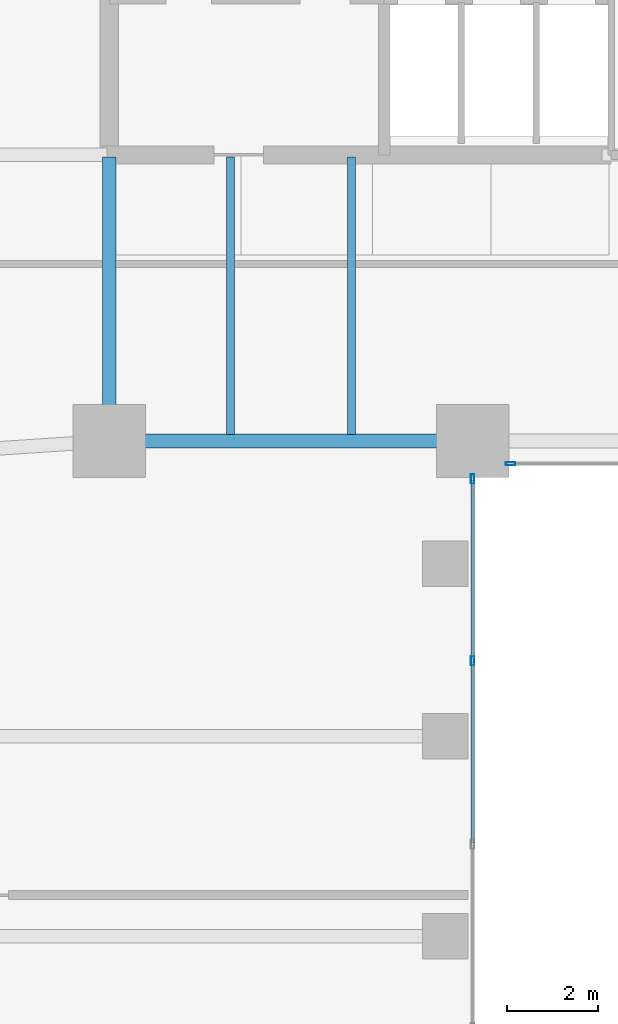
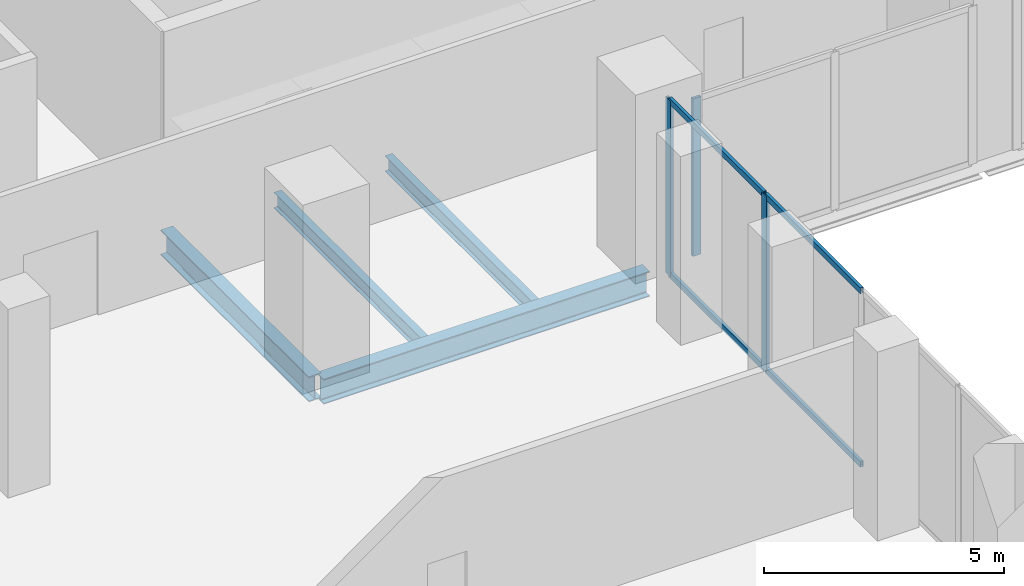
# One storey, part 9 of 24: 7 members, 4 beams, 2 elements without a shape of their own.
"""IFC4 building model written with IfcOpenShell, lengths in metres."""

from ifc_helpers import new_model, si_unit, direction, frame, origin, origin_2d, place, context, subcontext, project, spatial, hollow_rectangle, i_section, extrude, material, layer, layer_set, material_profile, profile_set, type_object, element, aggregate, save


model = new_model("IFC4")

# Units and contexts
model_context = context("Model", 3, precision=1e-05, world=origin(), true_north=direction((0.0, 1.0)))
body_context = subcontext(model_context, "Body", "Model", "MODEL_VIEW")
ifc_project = project(units=[si_unit("LENGTHUNIT", "METRE"), si_unit("AREAUNIT", "SQUARE_METRE"), si_unit("VOLUMEUNIT", "CUBIC_METRE"), si_unit("PLANEANGLEUNIT", "RADIAN"), si_unit("MASSUNIT", "GRAM", prefix="KILO")], contexts=[model_context])

# Site, building, storey
site_placement = place(None, origin())
site = spatial("IfcSite", under=ifc_project, at=site_placement, CompositionType="ELEMENT")
building_placement = place(site_placement, origin())
building = spatial("IfcBuilding", under=site, at=building_placement, Name="Catumbela Crestline Tower", CompositionType="ELEMENT")
storey_placement = place(building_placement, frame((0.0, 0.0, 11.1)))
storey = spatial("IfcBuildingStorey", under=building, at=storey_placement, Name="L02", CompositionType="ELEMENT", Elevation=11.1)

# Beams
ifc_material_1 = material(Name="Structural steel S355J2", Category="steel")
ifc_material_profile_1 = material_profile(ifc_material_1, i_section(OverallWidth=0.3, OverallDepth=0.64, WebThickness=0.0135, FlangeThickness=0.026, FilletRadius=0.027, at=origin_2d()), Name="HEA 650")
ifc_profile_set_1 = profile_set([ifc_material_profile_1], Name="Structural steel S355J2")
beam_type_1 = type_object("IfcBeamType", Name="BG-HEA650", PredefinedType="BEAM", material=ifc_profile_set_1)
beam_1_placement = place(storey_placement, frame((16.08, 24.5, -0.64), z_axis=(1.0, 0.0, 0.0), x_axis=(0.0, 1.0, 0.0)))
element("IfcBeam", 1, at=beam_1_placement, inside=storey, type_object=beam_type_1, Name="L02 Beam BM-L02-S04", PredefinedType="BEAM", context=body_context, shape_type="SweptSolid", body=[
    extrude(i_section(OverallWidth=0.3, OverallDepth=0.64, WebThickness=0.0135, FlangeThickness=0.026, FilletRadius=0.027, at=origin_2d()), origin(), (0.0, 0.0, 1.0), 7.84),
])
beam_2_placement = place(storey_placement, frame((16.0, 24.58, -0.64), z_axis=(0.0, 1.0, 0.0), x_axis=(-1.0, 0.0, 0.0)))
element("IfcBeam", 2, at=beam_2_placement, inside=storey, type_object=beam_type_1, Name="L02 Beam BM-L02-SNS29", PredefinedType="BEAM", context=body_context, shape_type="SweptSolid", body=[
    extrude(i_section(OverallWidth=0.3, OverallDepth=0.64, WebThickness=0.0135, FlangeThickness=0.026, FilletRadius=0.027, at=origin_2d()), origin(), (0.0, 0.0, 1.0), 6.17),
])
ifc_material_profile_2 = material_profile(ifc_material_1, i_section(OverallWidth=0.18, OverallDepth=0.4, WebThickness=0.0086, FlangeThickness=0.0135, FilletRadius=0.021, at=origin_2d()), Name="IPE 400")
ifc_profile_set_2 = profile_set([ifc_material_profile_2], Name="Structural steel S355J2")
beam_type_2 = type_object("IfcBeamType", Name="BJ-IPE400", PredefinedType="JOIST", material=ifc_profile_set_2)
for number, where, z_axis, x_axis, name in (
    (3, (18.667, 24.647, -0.52), (0.0, 1.0, 0.0), (-1.0, 0.0, 0.0), "L02 Joist JS-L02-SP37"),
    (4, (21.333, 24.647, -0.52), (0.0, 1.0, 0.0), (-1.0, 0.0, 0.0), "L02 Joist JS-L02-SP38"),
):
    element("IfcBeam", number, at=place(storey_placement, frame(where, z_axis=z_axis, x_axis=x_axis)), inside=storey, type_object=beam_type_2, Name=name, PredefinedType="JOIST", context=body_context, shape_type="SweptSolid", body=[
        extrude(i_section(OverallWidth=0.18, OverallDepth=0.4, WebThickness=0.0086, FlangeThickness=0.0135, FilletRadius=0.021, at=origin_2d()), origin(), (0.0, 0.0, 1.0), 6.103),
    ])

# Curtain wall, members
ifc_material_2 = material(Name="Aluminium alloy AW-6060-T66", Category="aluminium")
ifc_layer = layer(ifc_material_2, 0.18, Name="Aluminium alloy AW-6060-T66")
ifc_layer_set = layer_set([ifc_layer], Name="Aluminium alloy AW-6060-T66")
curtain_wall_type = type_object("IfcCurtainWallType", Name="CWS-POD", PredefinedType="USERDEFINED", material=ifc_layer_set)
curtain_wall_1_placement = place(storey_placement, origin())
curtain_wall_1 = element("IfcCurtainWall", 5, at=curtain_wall_1_placement, inside=storey, type_object=curtain_wall_type, Name="L02 Stick Curtain Wall CW-L02-E2S1", ObjectType="STICK", PredefinedType="USERDEFINED")
ifc_material_profile_3 = material_profile(ifc_material_2, hollow_rectangle(XDim=0.075, YDim=0.2, WallThickness=0.005, at=origin_2d()), Name="ALU 200x75x5")
ifc_profile_set_3 = profile_set([ifc_material_profile_3], Name="Aluminium alloy AW-6060-T66")
member_type_1 = type_object("IfcMemberType", Name="MUL-200X75", PredefinedType="MULLION", material=ifc_profile_set_3)
member_1_placement = place(storey_placement, frame((24.0, 19.66, 0.0), z_axis=(0.0, 0.0, 1.0), x_axis=(-1.0, 0.0, 0.0)))
member_1 = element("IfcMember", 6, at=member_1_placement, type_object=member_type_1, Name="CWS-POD mullion 5", PredefinedType="MULLION", context=body_context, shape_type="SweptSolid", body=[
    extrude(hollow_rectangle(XDim=0.075, YDim=0.2, WallThickness=0.005, at=origin_2d()), origin(), (0.0, 0.0, 1.0), 4.47),
])
member_2_placement = place(storey_placement, frame((24.0, 23.6675, 0.0), z_axis=(0.0, 0.0, 1.0), x_axis=(-1.0, 0.0, 0.0)))
member_2 = element("IfcMember", 7, at=member_2_placement, type_object=member_type_1, Name="CWS-POD mullion 6", PredefinedType="MULLION", context=body_context, shape_type="SweptSolid", body=[
    extrude(hollow_rectangle(XDim=0.075, YDim=0.2, WallThickness=0.005, at=origin_2d()), origin(), (0.0, 0.0, 1.0), 4.47),
])

# Curtain wall, member
curtain_wall_2_placement = place(storey_placement, origin())
curtain_wall_2 = element("IfcCurtainWall", 8, at=curtain_wall_2_placement, inside=storey, type_object=curtain_wall_type, Name="L02 Stick Curtain Wall CW-L02-E3S1", ObjectType="STICK", PredefinedType="USERDEFINED")
member_3_placement = place(storey_placement, frame((24.8325, 24.0, 0.0), z_axis=(0.0, 0.0, 1.0), x_axis=(0.0, 1.0, 0.0)))
member_3 = element("IfcMember", 9, at=member_3_placement, type_object=member_type_1, Name="CWS-POD mullion 1", PredefinedType="MULLION", context=body_context, shape_type="SweptSolid", body=[
    extrude(hollow_rectangle(XDim=0.075, YDim=0.2, WallThickness=0.005, at=origin_2d()), origin(), (0.0, 0.0, 1.0), 4.01),
])
aggregate(curtain_wall_2, [member_3])

# Member
ifc_material_profile_4 = material_profile(ifc_material_2, hollow_rectangle(XDim=0.075, YDim=0.15, WallThickness=0.0045, at=origin_2d()), Name="ALU 150x75x4.5")
ifc_profile_set_4 = profile_set([ifc_material_profile_4], Name="Aluminium alloy AW-6060-T66")
member_type_2 = type_object("IfcMemberType", Name="TRN-150X75", PredefinedType="USERDEFINED", material=ifc_profile_set_4)
member_4_placement = place(storey_placement, frame((24.0, 15.6525, 0.03), z_axis=(0.0, 1.0, 0.0), x_axis=(-1.0, 0.0, 0.0)))
member_4 = element("IfcMember", 10, at=member_4_placement, type_object=member_type_2, Name="CWS-POD transom 4.1", ObjectType="TRANSOM", PredefinedType="USERDEFINED", context=body_context, shape_type="SweptSolid", body=[
    extrude(hollow_rectangle(XDim=0.075, YDim=0.15, WallThickness=0.0045, at=origin_2d()), origin(), (0.0, 0.0, 1.0), 3.975),
])

member_5_placement = place(storey_placement, frame((24.0, 15.6525, 4.44), z_axis=(0.0, 1.0, 0.0), x_axis=(-1.0, 0.0, 0.0)))
member_5 = element("IfcMember", 11, at=member_5_placement, type_object=member_type_2, Name="CWS-POD transom 4.2", ObjectType="TRANSOM", PredefinedType="USERDEFINED", context=body_context, shape_type="SweptSolid", body=[
    extrude(hollow_rectangle(XDim=0.075, YDim=0.15, WallThickness=0.0045, at=origin_2d()), origin(), (0.0, 0.0, 1.0), 3.975),
])

member_6_placement = place(storey_placement, frame((24.0, 19.6925, 0.03), z_axis=(0.0, 1.0, 0.0), x_axis=(-1.0, 0.0, 0.0)))
member_6 = element("IfcMember", 12, at=member_6_placement, type_object=member_type_2, Name="CWS-POD transom 5.1", ObjectType="TRANSOM", PredefinedType="USERDEFINED", context=body_context, shape_type="SweptSolid", body=[
    extrude(hollow_rectangle(XDim=0.075, YDim=0.15, WallThickness=0.0045, at=origin_2d()), origin(), (0.0, 0.0, 1.0), 3.9425),
])

member_7_placement = place(storey_placement, frame((24.0, 19.6925, 4.44), z_axis=(0.0, 1.0, 0.0), x_axis=(-1.0, 0.0, 0.0)))
member_7 = element("IfcMember", 13, at=member_7_placement, type_object=member_type_2, Name="CWS-POD transom 5.2", ObjectType="TRANSOM", PredefinedType="USERDEFINED", context=body_context, shape_type="SweptSolid", body=[
    extrude(hollow_rectangle(XDim=0.075, YDim=0.15, WallThickness=0.0045, at=origin_2d()), origin(), (0.0, 0.0, 1.0), 3.9425),
])

aggregate(curtain_wall_1, [member_1, member_2, member_4, member_5, member_6, member_7])

save(model, "model.ifc")
